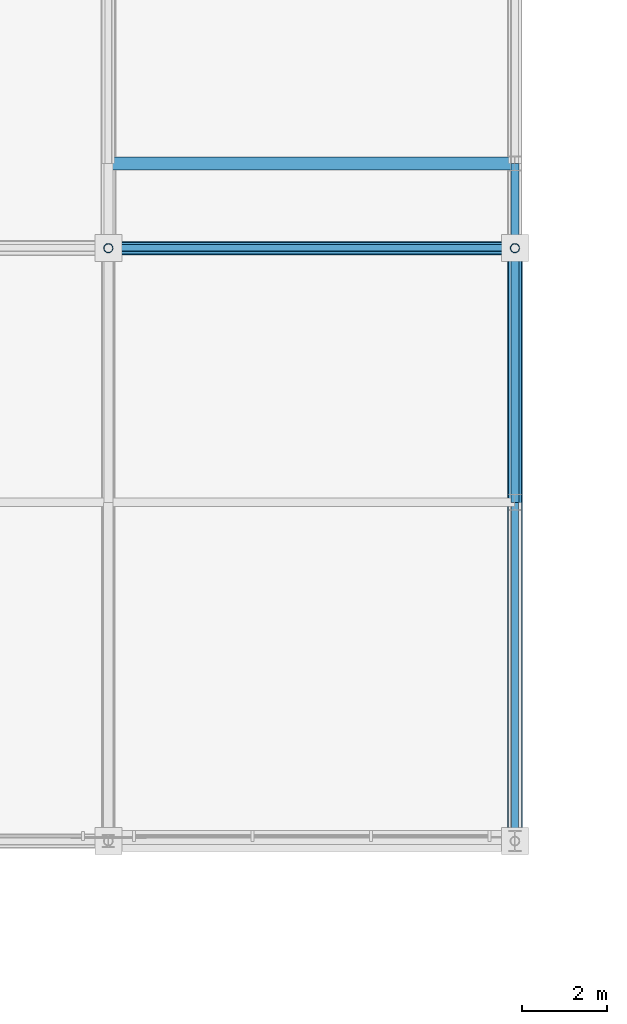
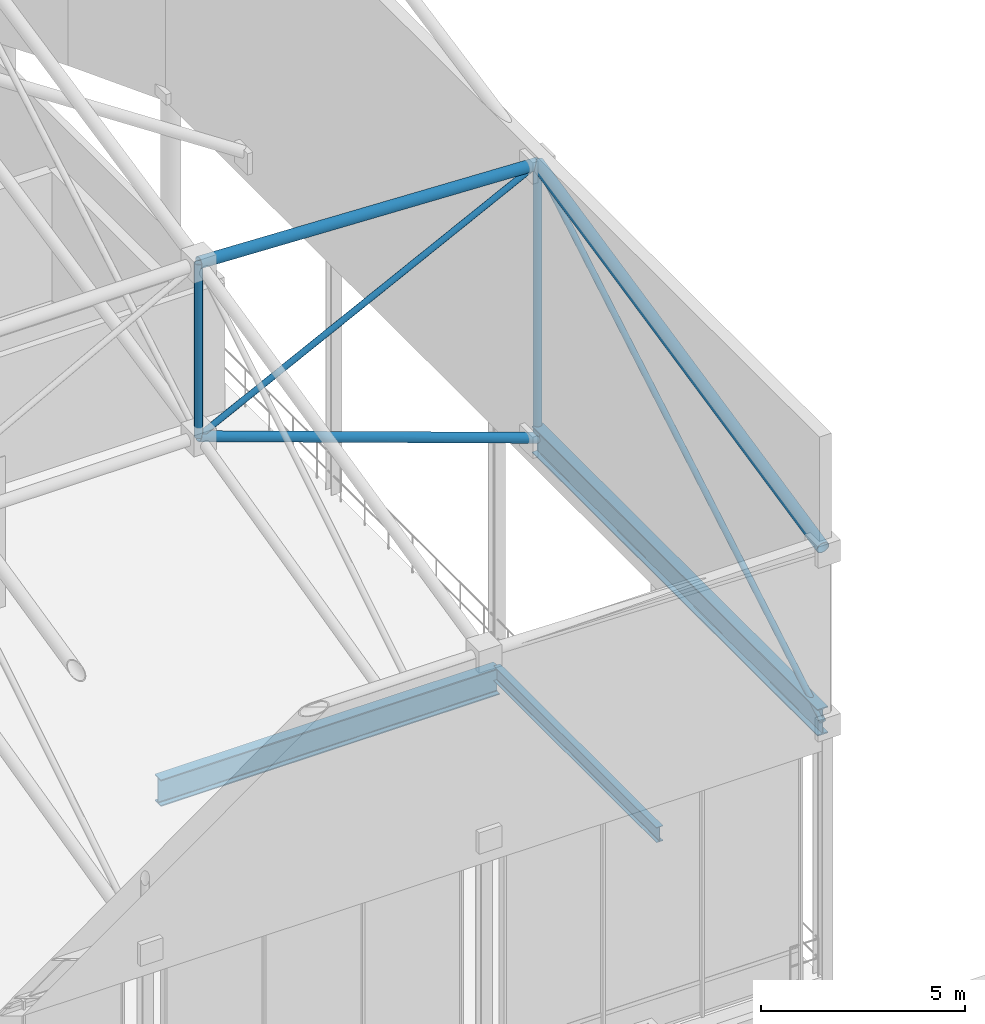
# One storey, part 118 of 193: 7 members, 3 beams.
"""IFC4 building model written with IfcOpenShell, lengths in metres."""

from ifc_helpers import new_model, si_unit, direction, frame, origin, origin_2d, place, context, subcontext, project, spatial, hollow_circle, i_section, extrude, material, material_profile, profile_set, type_object, element, save


model = new_model("IFC4")

# Units and contexts
model_context = context("Model", 3, precision=1e-05, world=origin(), true_north=direction((0.0, 1.0)))
body_context = subcontext(model_context, "Body", "Model", "MODEL_VIEW")
ifc_project = project(units=[si_unit("LENGTHUNIT", "METRE"), si_unit("AREAUNIT", "SQUARE_METRE"), si_unit("VOLUMEUNIT", "CUBIC_METRE"), si_unit("PLANEANGLEUNIT", "RADIAN"), si_unit("MASSUNIT", "GRAM", prefix="KILO")], contexts=[model_context])

# Site, building, storey
site_placement = place(None, origin())
site = spatial("IfcSite", under=ifc_project, at=site_placement, CompositionType="ELEMENT")
building_placement = place(site_placement, origin())
building = spatial("IfcBuilding", under=site, at=building_placement, Name="Danafjord Basin Convention Centre", CompositionType="ELEMENT")
storey_placement = place(building_placement, frame((0.0, 0.0, 11.39990234375)))
storey = spatial("IfcBuildingStorey", under=building, at=storey_placement, Name="L02", CompositionType="ELEMENT", Elevation=11.39990234375)

# Beams
ifc_material = material(Name="Steel S355", Category="steel")
ifc_material_profile_1 = material_profile(ifc_material, i_section(OverallWidth=0.300048828125, OverallDepth=0.800048828125, WebThickness=0.017578125, FlangeThickness=0.032958984375, FilletRadius=0.030029296875, at=origin_2d()), Name="HEB 800")
ifc_profile_set_1 = profile_set([ifc_material_profile_1], Name="Steel S355")
beam_type_1 = type_object("IfcBeamType", Name="BEAM-BM-HEB800", PredefinedType="BEAM", material=ifc_profile_set_1)
beam_1_placement = place(storey_placement, frame((192.0, 104.0, -0.760009765625), z_axis=(1.0, 0.0, 0.0), x_axis=(0.0, 1.0, 0.0)))
element("IfcBeam", 1, at=beam_1_placement, inside=storey, type_object=beam_type_1, Name="L02 girder BM-HEB800", PredefinedType="BEAM", context=body_context, shape_type="SweptSolid", body=[
    extrude(i_section(OverallWidth=0.300048828125, OverallDepth=0.800048828125, WebThickness=0.017578125, FlangeThickness=0.032958984375, FilletRadius=0.030029296875, at=origin_2d()), origin(), (0.0, 0.0, 1.0), 9.60009765625),
])
beam_2_placement = place(storey_placement, frame((201.60009765625, 88.0, 7.650146484375), z_axis=(0.0, 1.0, 0.0), x_axis=(-1.0, 0.0, 0.0)))
element("IfcBeam", 2, at=beam_2_placement, inside=storey, type_object=beam_type_1, Name="V2 space-frame perimeter ring girder", PredefinedType="BEAM", context=body_context, shape_type="SweptSolid", body=[
    extrude(i_section(OverallWidth=0.300048828125, OverallDepth=0.800048828125, WebThickness=0.017578125, FlangeThickness=0.032958984375, FilletRadius=0.030029296875, at=origin_2d()), origin(), (0.0, 0.0, 1.0), 14.0),
])
ifc_material_profile_2 = material_profile(ifc_material, i_section(OverallWidth=0.18994140625, OverallDepth=0.449951171875, WebThickness=0.009521484375, FlangeThickness=0.0146484375, FilletRadius=0.02099609375, at=origin_2d()), Name="IPE 450")
ifc_profile_set_2 = profile_set([ifc_material_profile_2], Name="Steel S355")
beam_type_2 = type_object("IfcBeamType", Name="BEAM-SP-IPE450", PredefinedType="SPANDREL", material=ifc_profile_set_2)
beam_3_placement = place(storey_placement, frame((201.60009765625, 96.0, -0.5849609375), z_axis=(0.0, 1.0, 0.0), x_axis=(-1.0, 0.0, 0.0)))
element("IfcBeam", 3, at=beam_3_placement, inside=storey, type_object=beam_type_2, Name="L02 transverse girder SP-IPE450", PredefinedType="SPANDREL", context=body_context, shape_type="SweptSolid", body=[
    extrude(i_section(OverallWidth=0.18994140625, OverallDepth=0.449951171875, WebThickness=0.009521484375, FlangeThickness=0.0146484375, FilletRadius=0.02099609375, at=origin_2d()), origin(), (0.0, 0.0, 1.0), 8.0),
])

# Members
ifc_material_profile_3 = material_profile(ifc_material, hollow_circle(Radius=0.136474609375, WallThickness=0.012451171875, at=origin_2d()), Name="CHS 273.0x12.5")
ifc_profile_set_3 = profile_set([ifc_material_profile_3], Name="Steel S355")
member_type_1 = type_object("IfcMemberType", Name="MEM-CH-CHS273", PredefinedType="CHORD", material=ifc_profile_set_3)
member_1_placement = place(storey_placement, frame((192.0, 102.0, 11.059814453125), z_axis=(0.942329277744, 0.0, -0.334687215629), x_axis=(0.0, 1.0, 0.0)))
element("IfcMember", 4, at=member_1_placement, inside=storey, type_object=member_type_1, Name="V2 roof truss longitudinal bottom chord", PredefinedType="CHORD", context=body_context, shape_type="SweptSolid", body=[
    extrude(hollow_circle(Radius=0.136474609375, WallThickness=0.012451171875, at=origin_2d()), origin(), (0.0, 0.0, 1.0), 10.187744140625),
])
ifc_material_profile_4 = material_profile(ifc_material, hollow_circle(Radius=0.161865234375, WallThickness=0.01611328125, at=origin_2d()), Name="CHS 323.9x16.0")
ifc_profile_set_4 = profile_set([ifc_material_profile_4], Name="Steel S355")
member_type_2 = type_object("IfcMemberType", Name="MEM-CH-CHS324", PredefinedType="CHORD", material=ifc_profile_set_4)
member_2_placement = place(storey_placement, frame((192.0, 102.0, 16.260009765625), z_axis=(0.999159728014, 0.0, -0.040985825779), x_axis=(0.0, 1.0, 0.0)))
element("IfcMember", 5, at=member_2_placement, inside=storey, type_object=member_type_2, Name="V2 roof truss longitudinal top chord", PredefinedType="CHORD", context=body_context, shape_type="SweptSolid", body=[
    extrude(hollow_circle(Radius=0.161865234375, WallThickness=0.01611328125, at=origin_2d()), origin(), (0.0, 0.0, 1.0), 9.608154296875),
])
ifc_material_profile_5 = material_profile(ifc_material, hollow_circle(Radius=0.177734375, WallThickness=0.01611328125, at=origin_2d()), Name="CHS 355.6x16.0")
ifc_profile_set_5 = profile_set([ifc_material_profile_5], Name="Steel S355")
member_type_3 = type_object("IfcMemberType", Name="MEM-CH-CHS355", PredefinedType="CHORD", material=ifc_profile_set_5)
member_3_placement = place(storey_placement, frame((201.60009765625, 88.0, 12.85009765625), z_axis=(0.0, 0.977571306998, 0.210604700172), x_axis=(-1.0, 0.0, 0.0)))
element("IfcMember", 6, at=member_3_placement, inside=storey, type_object=member_type_3, Name="V2 roof truss transverse top chord", PredefinedType="CHORD", context=body_context, shape_type="SweptSolid", body=[
    extrude(hollow_circle(Radius=0.177734375, WallThickness=0.01611328125, at=origin_2d()), origin(), (0.0, 0.0, 1.0), 14.3212890625),
])
ifc_material_profile_6 = material_profile(ifc_material, hollow_circle(Radius=0.109619140625, WallThickness=0.010009765625, at=origin_2d()), Name="CHS 219.1x10.0")
ifc_profile_set_6 = profile_set([ifc_material_profile_6], Name="Steel S355")
member_type_4 = type_object("IfcMemberType", Name="MEM-ST-CHS219", PredefinedType="STRUT", material=ifc_profile_set_6)
member_4_placement = place(storey_placement, frame((192.0, 102.0, 11.059814453125), z_axis=(0.0, 0.0, 1.0), x_axis=(1.0, 0.0, 0.0)))
element("IfcMember", 7, at=member_4_placement, inside=storey, type_object=member_type_4, Name="V2 roof truss vertical strut", PredefinedType="STRUT", context=body_context, shape_type="SweptSolid", body=[
    extrude(hollow_circle(Radius=0.109619140625, WallThickness=0.010009765625, at=origin_2d()), origin(), (0.0, 0.0, 1.0), 5.2001953125),
])
member_5_placement = place(storey_placement, frame((201.60009765625, 102.0, 7.650146484375), z_axis=(0.0, 0.0, 1.0), x_axis=(1.0, 0.0, 0.0)))
element("IfcMember", 8, at=member_5_placement, inside=storey, type_object=member_type_4, Name="V2 roof truss vertical strut", PredefinedType="STRUT", context=body_context, shape_type="SweptSolid", body=[
    extrude(hollow_circle(Radius=0.109619140625, WallThickness=0.010009765625, at=origin_2d()), origin(), (0.0, 0.0, 1.0), 8.216064453125),
])
ifc_material_profile_7 = material_profile(ifc_material, hollow_circle(Radius=0.084228515625, WallThickness=0.008056640625, at=origin_2d()), Name="CHS 168.3x8.0")
ifc_profile_set_7 = profile_set([ifc_material_profile_7], Name="Steel S355")
member_type_5 = type_object("IfcMemberType", Name="MEM-WB-CHS168", PredefinedType="MEMBER", material=ifc_profile_set_7)
member_6_placement = place(storey_placement, frame((192.0, 102.0, 11.059814453125), z_axis=(0.894190567742, 0.0, 0.447686529351), x_axis=(0.0, 1.0, 0.0)))
element("IfcMember", 9, at=member_6_placement, inside=storey, type_object=member_type_5, Name="V2 space-frame longitudinal web", PredefinedType="MEMBER", context=body_context, shape_type="SweptSolid", body=[
    extrude(hollow_circle(Radius=0.084228515625, WallThickness=0.008056640625, at=origin_2d()), origin(), (0.0, 0.0, 1.0), 10.736083984375),
])
member_7_placement = place(storey_placement, frame((201.60009765625, 88.0, 7.650146484375), z_axis=(0.0, 0.862451465238, 0.506139773292), x_axis=(-1.0, 0.0, 0.0)))
element("IfcMember", 10, at=member_7_placement, inside=storey, type_object=member_type_5, Name="V2 space-frame transverse web", PredefinedType="MEMBER", context=body_context, shape_type="SweptSolid", body=[
    extrude(hollow_circle(Radius=0.084228515625, WallThickness=0.008056640625, at=origin_2d()), origin(), (0.0, 0.0, 1.0), 16.23291015625),
])

save(model, "model.ifc")
